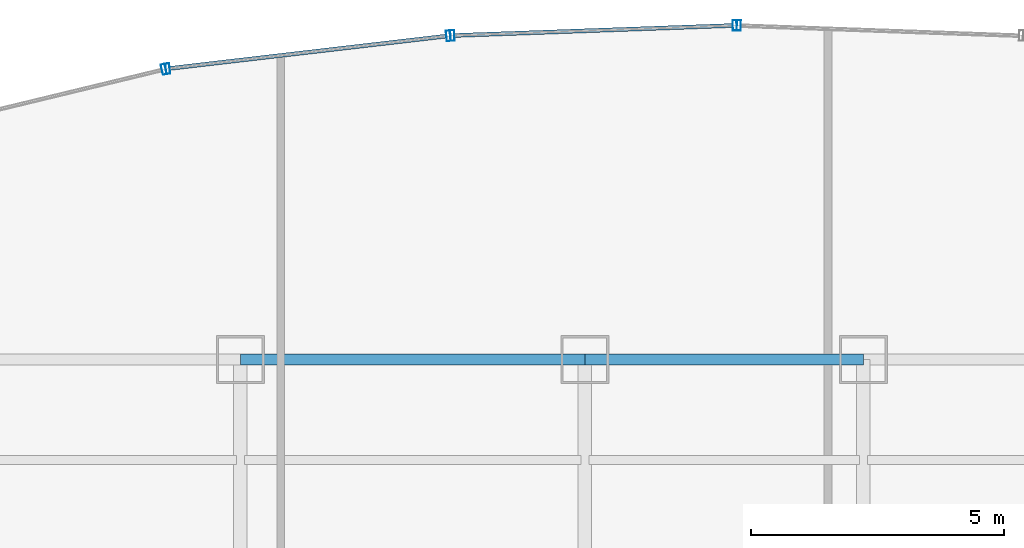
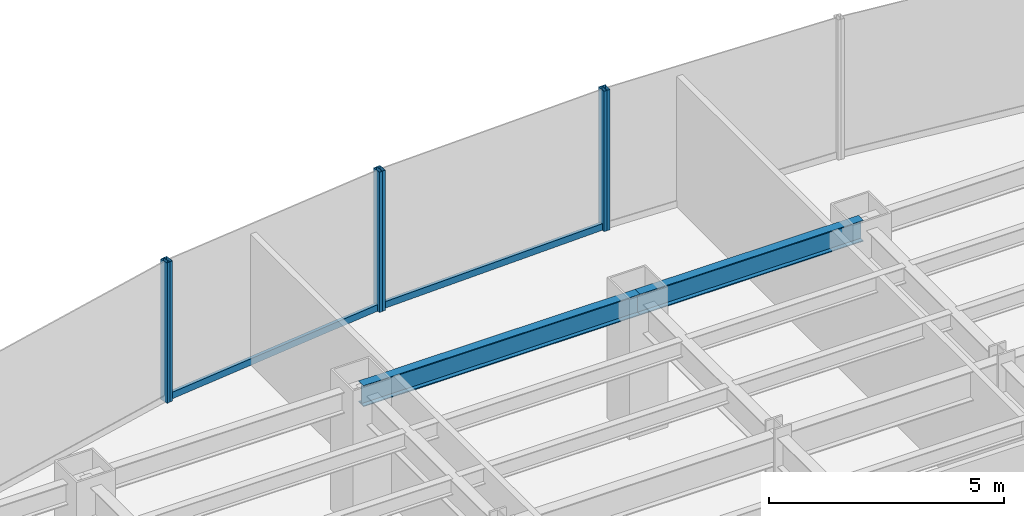
# One storey, part 13 of 23: 8 members, 2 beams, 4 elements without a shape of their own.
"""IFC4 building model written with IfcOpenShell, lengths in metres."""

from ifc_helpers import new_model, si_unit, derived_unit, direction, frame, origin, origin_2d, place, context, subcontext, project, spatial, hollow_rectangle, i_section, extrude, source, transform, mapped, material, material_profile, profile_set, type_object, element, aggregate, save


model = new_model("IFC4")

# Units and contexts
model_context = context("Model", 3, precision=1e-05, world=origin(), true_north=direction((0.0, 1.0)))
body_context = subcontext(model_context, "Body", "Model", "MODEL_VIEW")
ifc_project = project(units=[si_unit("LENGTHUNIT", "METRE"), si_unit("AREAUNIT", "SQUARE_METRE"), si_unit("VOLUMEUNIT", "CUBIC_METRE"), si_unit("PLANEANGLEUNIT", "RADIAN"), si_unit("MASSUNIT", "GRAM", prefix="KILO"), derived_unit("THERMALTRANSMITTANCEUNIT", [(si_unit("POWERUNIT", "WATT"), 1), (si_unit("LENGTHUNIT", "METRE"), -2), (si_unit("THERMODYNAMICTEMPERATUREUNIT", "KELVIN"), -1)])], contexts=[model_context])

# Site, building, storey
site_placement = place(None, origin())
site = spatial("IfcSite", under=ifc_project, at=site_placement, CompositionType="ELEMENT")
building_placement = place(site_placement, origin())
building = spatial("IfcBuilding", under=site, at=building_placement, Name="Skarnbrae Concourse Arena and Tower", CompositionType="ELEMENT")
storey_placement = place(building_placement, frame((0.0, 0.0, 54.39990234375)))
storey = spatial("IfcBuildingStorey", under=building, at=storey_placement, Name="L12", CompositionType="ELEMENT", Elevation=54.39990234375)

# Beams
ifc_material_1 = material(Name="Steel CSA G40.21 350W", Category="steel")
ifc_material_profile_1 = material_profile(ifc_material_1, i_section(OverallWidth=0.214111328125, OverallDepth=0.549072265625, WebThickness=0.0146484375, FlangeThickness=0.023681640625, at=origin_2d()), Name="W530X138")
ifc_profile_set_1 = profile_set([ifc_material_profile_1], Name="Steel CSA G40.21 350W")
beam_type = type_object("IfcBeamType", Name="BM-SPAN-W530X138", PredefinedType="SPANDREL", material=ifc_profile_set_1)
shared_shape_1 = source(origin(), body_context, "Body", "SweptSolid", [
    extrude(i_section(OverallWidth=0.214111328125, OverallDepth=0.549072265625, WebThickness=0.0146484375, FlangeThickness=0.023681640625, at=origin_2d()), origin(), (0.0, 0.0, 1.0), 6.800048828125),
])
beam_1_placement = place(storey_placement, frame((21.199951171875, 40.39990234375, 3.12548828125), z_axis=(1.0, 0.0, 0.0), x_axis=(0.0, 1.0, 0.0)))
element("IfcBeam", 1, at=beam_1_placement, inside=storey, type_object=beam_type, Name="L12 Perimeter spandrel Y40.4-3", PredefinedType="SPANDREL", context=body_context, shape_type="MappedRepresentation", body=[
    mapped(shared_shape_1, transform((0.0, 0.0, 0.0))),
])
shared_shape_2 = source(origin(), body_context, "Body", "SweptSolid", [
    extrude(i_section(OverallWidth=0.214111328125, OverallDepth=0.549072265625, WebThickness=0.0146484375, FlangeThickness=0.023681640625, at=origin_2d()), origin(), (0.0, 0.0, 1.0), 5.5),
])
beam_2_placement = place(storey_placement, frame((28.0, 40.39990234375, 3.12548828125), z_axis=(1.0, 0.0, 0.0), x_axis=(0.0, 1.0, 0.0)))
element("IfcBeam", 2, at=beam_2_placement, inside=storey, type_object=beam_type, Name="L12 Perimeter spandrel Y40.4-4", PredefinedType="SPANDREL", context=body_context, shape_type="MappedRepresentation", body=[
    mapped(shared_shape_2, transform((0.0, 0.0, 0.0))),
])

# Curtain wall, member
ifc_material_2 = material(Name="Bronze anodised aluminium 6063-T6", Category="aluminium")
curtain_wall_type = type_object("IfcCurtainWallType", Name="CW-SYS-03-PORTAL", PredefinedType="USERDEFINED", material=ifc_material_2)
curtain_wall_1_placement = place(storey_placement, origin())
curtain_wall_1 = element("IfcCurtainWall", 3, at=curtain_wall_1_placement, inside=storey, type_object=curtain_wall_type, Name="L12 Unitised curtain wall CW-L12-E11", ObjectType="UNITISED CURTAIN WALL", PredefinedType="USERDEFINED")
ifc_material_profile_2 = material_profile(ifc_material_2, hollow_rectangle(XDim=0.080078125, YDim=0.2099609375, WallThickness=0.00439453125, at=origin_2d()), Name="ALU-MULL-80X210")
ifc_profile_set_2 = profile_set([ifc_material_profile_2], Name="Bronze anodised aluminium 6063-T6")
member_type_1 = type_object("IfcMemberType", Name="CWM-CW-03", PredefinedType="MULLION", material=ifc_profile_set_2)
shared_shape_3 = source(origin(), body_context, "Body", "SweptSolid", [
    extrude(hollow_rectangle(XDim=0.080078125, YDim=0.2099609375, WallThickness=0.00439453125, at=origin_2d()), origin(), (0.0, 0.0, 1.0), 3.650146484375),
])
member_1_placement = place(storey_placement, frame((31.0400390625, 46.99853515625, 0.0), z_axis=(0.0, 0.0, 1.0), x_axis=(-0.999355425188, 0.035898943527, 0.0)))
member_1 = element("IfcMember", 4, at=member_1_placement, type_object=member_type_1, Name="CW-L12-E11 Mullion 2", PredefinedType="MULLION", context=body_context, shape_type="MappedRepresentation", body=[
    mapped(shared_shape_3, transform((0.0, 0.0, 0.0))),
])
aggregate(curtain_wall_1, [member_1])

# Curtain wall, members
curtain_wall_2_placement = place(storey_placement, origin())
curtain_wall_2 = element("IfcCurtainWall", 5, at=curtain_wall_2_placement, inside=storey, type_object=curtain_wall_type, Name="L12 Unitised curtain wall CW-L12-E12", ObjectType="UNITISED CURTAIN WALL", PredefinedType="USERDEFINED")
member_2_placement = place(storey_placement, frame((30.9599609375, 46.99853515625, 0.0), z_axis=(0.0, 0.0, 1.0), x_axis=(-0.999355425188, -0.035898943527, 0.0)))
member_2 = element("IfcMember", 6, at=member_2_placement, type_object=member_type_1, Name="CW-L12-E12 Mullion 1", PredefinedType="MULLION", context=body_context, shape_type="MappedRepresentation", body=[
    mapped(shared_shape_3, transform((0.0, 0.0, 0.0))),
])
member_3_placement = place(storey_placement, frame((25.385986328125, 46.79833984375, 0.0), z_axis=(0.0, 0.0, 1.0), x_axis=(-0.999355425188, -0.035898943527, 0.0)))
member_3 = element("IfcMember", 7, at=member_3_placement, type_object=member_type_1, Name="CW-L12-E12 Mullion 2", PredefinedType="MULLION", context=body_context, shape_type="MappedRepresentation", body=[
    mapped(shared_shape_3, transform((0.0, 0.0, 0.0))),
])

curtain_wall_3_placement = place(storey_placement, origin())
curtain_wall_3 = element("IfcCurtainWall", 8, at=curtain_wall_3_placement, inside=storey, type_object=curtain_wall_type, Name="L12 Unitised curtain wall CW-L12-E13", ObjectType="UNITISED CURTAIN WALL", PredefinedType="USERDEFINED")
member_4_placement = place(storey_placement, frame((25.306396484375, 46.792236328125, 0.0), z_axis=(0.0, 0.0, 1.0), x_axis=(-0.99324457001, -0.116039752435, 0.0)))
member_4 = element("IfcMember", 9, at=member_4_placement, type_object=member_type_1, Name="CW-L12-E13 Mullion 1", PredefinedType="MULLION", context=body_context, shape_type="MappedRepresentation", body=[
    mapped(shared_shape_3, transform((0.0, 0.0, 0.0))),
])
member_5_placement = place(storey_placement, frame((19.767333984375, 46.14501953125, 0.0), z_axis=(0.0, 0.0, 1.0), x_axis=(-0.99324457001, -0.116039752435, 0.0)))
member_5 = element("IfcMember", 10, at=member_5_placement, type_object=member_type_1, Name="CW-L12-E13 Mullion 2", PredefinedType="MULLION", context=body_context, shape_type="MappedRepresentation", body=[
    mapped(shared_shape_3, transform((0.0, 0.0, 0.0))),
])

# Curtain wall, member
curtain_wall_4_placement = place(storey_placement, origin())
curtain_wall_4 = element("IfcCurtainWall", 11, at=curtain_wall_4_placement, inside=storey, type_object=curtain_wall_type, Name="L12 Unitised curtain wall CW-L12-E14", ObjectType="UNITISED CURTAIN WALL", PredefinedType="USERDEFINED")
member_6_placement = place(storey_placement, frame((19.688720703125, 46.131103515625, 0.0), z_axis=(0.0, 0.0, 1.0), x_axis=(-0.971973721569, -0.235089524607, 0.0)))
member_6 = element("IfcMember", 12, at=member_6_placement, type_object=member_type_1, Name="CW-L12-E14 Mullion 1", PredefinedType="MULLION", context=body_context, shape_type="MappedRepresentation", body=[
    mapped(shared_shape_3, transform((0.0, 0.0, 0.0))),
])
aggregate(curtain_wall_4, [member_6])

# Member
ifc_material_profile_3 = material_profile(ifc_material_2, hollow_rectangle(XDim=0.080078125, YDim=0.169921875, WallThickness=0.00439453125, at=origin_2d()), Name="ALU-TRAN-80X170")
ifc_profile_set_3 = profile_set([ifc_material_profile_3], Name="Bronze anodised aluminium 6063-T6")
member_type_2 = type_object("IfcMemberType", Name="CWT-CW-03", PredefinedType="USERDEFINED", material=ifc_profile_set_3)
shared_shape_4 = source(origin(), body_context, "Body", "SweptSolid", [
    extrude(hollow_rectangle(XDim=0.080078125, YDim=0.169921875, WallThickness=0.00439453125, at=origin_2d()), origin(), (0.0, 0.0, 1.0), 5.49658203125),
])
member_7_placement = place(storey_placement, frame((25.2666015625, 46.78759765625, 0.085205078125), z_axis=(-0.993247281455, -0.116016541417, 0.0), x_axis=(0.116016541417, -0.993247281455, 0.0)))
member_7 = element("IfcMember", 13, at=member_7_placement, type_object=member_type_2, Name="CW-L12-E13 Transom 1", ObjectType="TRANSOM", PredefinedType="USERDEFINED", context=body_context, shape_type="MappedRepresentation", body=[
    mapped(shared_shape_4, transform((0.0, 0.0, 0.0))),
])

aggregate(curtain_wall_3, [member_4, member_5, member_7])

shared_shape_5 = source(origin(), body_context, "Body", "SweptSolid", [
    extrude(hollow_rectangle(XDim=0.080078125, YDim=0.169921875, WallThickness=0.00439453125, at=origin_2d()), origin(), (0.0, 0.0, 1.0), 5.497802734375),
])
member_8_placement = place(storey_placement, frame((30.920166015625, 46.9970703125, 0.085205078125), z_axis=(-0.999356047798, -0.03588160712, 0.0), x_axis=(0.03588160712, -0.999356047798, 0.0)))
member_8 = element("IfcMember", 14, at=member_8_placement, type_object=member_type_2, Name="CW-L12-E12 Transom 1", ObjectType="TRANSOM", PredefinedType="USERDEFINED", context=body_context, shape_type="MappedRepresentation", body=[
    mapped(shared_shape_5, transform((0.0, 0.0, 0.0))),
])

aggregate(curtain_wall_2, [member_2, member_3, member_8])

save(model, "model.ifc")
